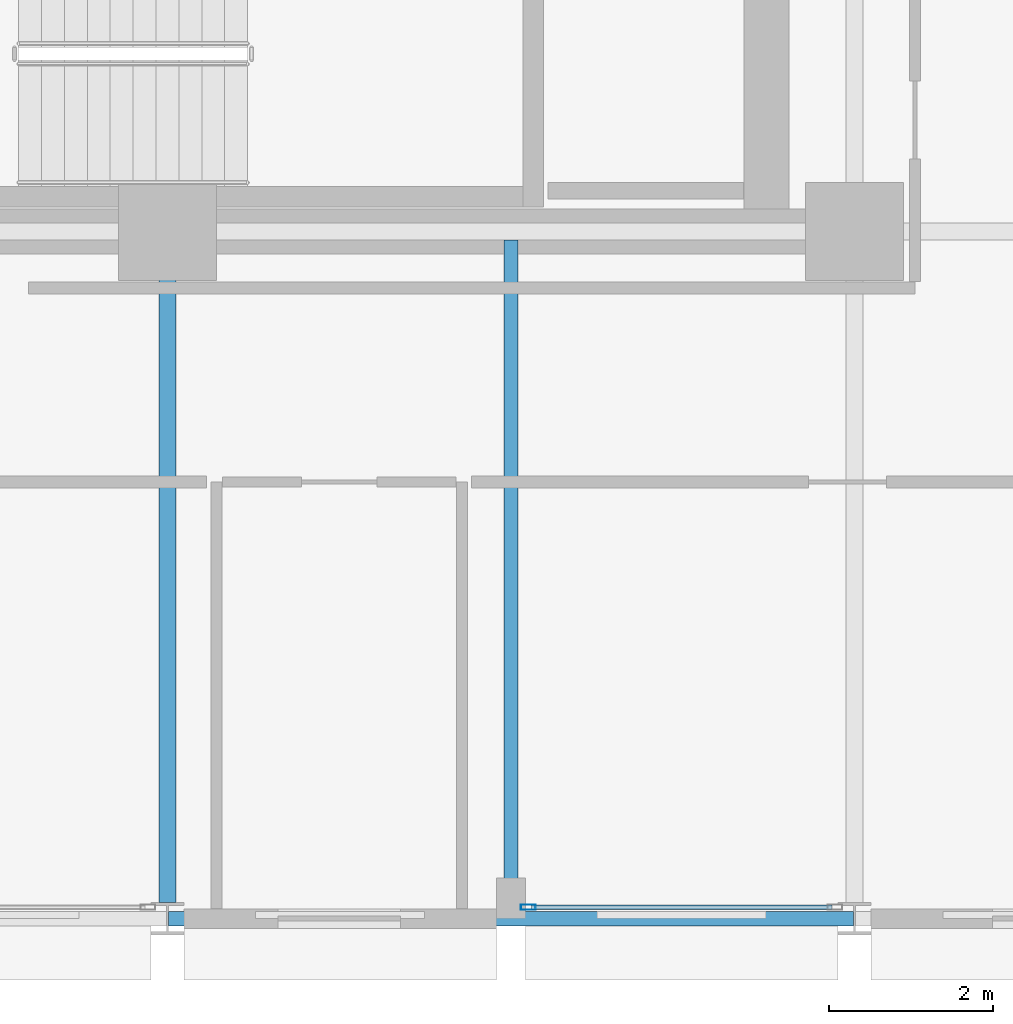
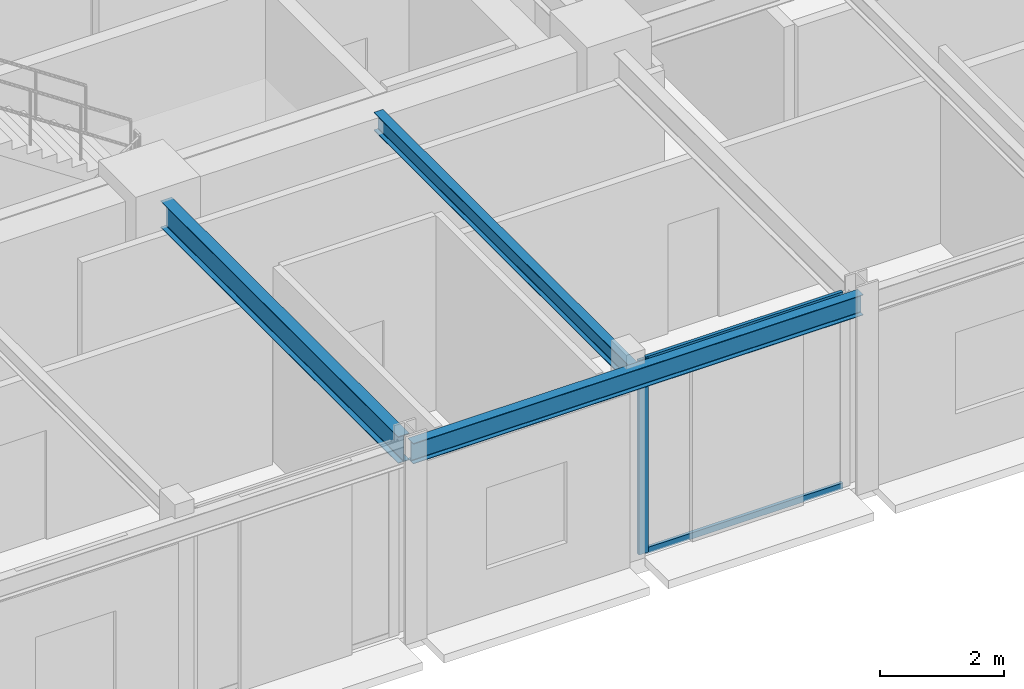
# One storey, part 9 of 39: 3 beams, 3 members, 1 element without a shape of its own.
"""IFC4 building model written with IfcOpenShell, lengths in metres."""

from ifc_helpers import new_model, si_unit, direction, frame, origin, origin_2d, place, context, subcontext, project, spatial, hollow_rectangle, i_section, extrude, material, layer, layer_set, material_profile, profile_set, type_object, element, aggregate, save


model = new_model("IFC4")

# Units and contexts
model_context = context("Model", 3, precision=1e-05, world=origin(), true_north=direction((0.0, 1.0)))
body_context = subcontext(model_context, "Body", "Model", "MODEL_VIEW")
ifc_project = project(units=[si_unit("LENGTHUNIT", "METRE"), si_unit("AREAUNIT", "SQUARE_METRE"), si_unit("VOLUMEUNIT", "CUBIC_METRE"), si_unit("PLANEANGLEUNIT", "RADIAN"), si_unit("MASSUNIT", "GRAM", prefix="KILO")], contexts=[model_context])

# Site, building, storey
site_placement = place(None, origin())
site = spatial("IfcSite", under=ifc_project, at=site_placement, CompositionType="ELEMENT")
building_placement = place(site_placement, origin())
building = spatial("IfcBuilding", under=site, at=building_placement, Name="Nerrivon Quay Data Exchange", CompositionType="ELEMENT")
storey_placement = place(building_placement, frame((0.0, 0.0, 92.60009765625)))
storey = spatial("IfcBuildingStorey", under=building, at=storey_placement, Name="L21", CompositionType="ELEMENT", Elevation=92.60009765625)

# Beams
ifc_material_1 = material(Name="Steel Grade 350", Category="steel")
ifc_material_profile_1 = material_profile(ifc_material_1, i_section(OverallWidth=0.208984375, OverallDepth=0.528076171875, WebThickness=0.009521484375, FlangeThickness=0.01318359375, FilletRadius=0.013916015625, at=origin_2d()), Name="530UB82.0")
ifc_profile_set_1 = profile_set([ifc_material_profile_1], Name="Steel Grade 350")
beam_type_1 = type_object("IfcBeamType", Name="BM-G4-530UB82", PredefinedType="BEAM", material=ifc_profile_set_1)
beam_1_placement = place(storey_placement, frame((25.199951171875, 0.199951171875, 3.560791015625), z_axis=(0.0, 1.0, 0.0), x_axis=(-1.0, 0.0, 0.0)))
element("IfcBeam", 1, at=beam_1_placement, inside=storey, type_object=beam_type_1, Name="L21 NS Girder X=25.2 (0.0..8.4)", PredefinedType="BEAM", context=body_context, shape_type="SweptSolid", body=[
    extrude(i_section(OverallWidth=0.208984375, OverallDepth=0.528076171875, WebThickness=0.009521484375, FlangeThickness=0.01318359375, FilletRadius=0.013916015625, at=origin_2d()), origin(), (0.0, 0.0, 1.0), 7.66015625),
])
ifc_material_profile_2 = material_profile(ifc_material_1, i_section(OverallWidth=0.1708984375, OverallDepth=0.35595703125, WebThickness=0.00732421875, FlangeThickness=0.011474609375, FilletRadius=0.011474609375, at=origin_2d()), Name="360UB50.7")
ifc_profile_set_2 = profile_set([ifc_material_profile_2], Name="Steel Grade 350")
beam_type_2 = type_object("IfcBeamType", Name="BM-J4-360UB51", PredefinedType="JOIST", material=ifc_profile_set_2)
beam_2_placement = place(storey_placement, frame((29.39990234375, 0.089111328125, 3.64697265625), z_axis=(0.0, 1.0, 0.0), x_axis=(-1.0, 0.0, 0.0)))
element("IfcBeam", 2, at=beam_2_placement, inside=storey, type_object=beam_type_2, Name="L21 Secondary Joist X=29.4 (0.0..8.4)", PredefinedType="JOIST", context=body_context, shape_type="SweptSolid", body=[
    extrude(i_section(OverallWidth=0.1708984375, OverallDepth=0.35595703125, WebThickness=0.00732421875, FlangeThickness=0.011474609375, FilletRadius=0.011474609375, at=origin_2d()), origin(), (0.0, 0.0, 1.0), 8.206298828125),
])
ifc_material_profile_3 = material_profile(ifc_material_1, i_section(OverallWidth=0.177978515625, OverallDepth=0.403076171875, WebThickness=0.007568359375, FlangeThickness=0.010986328125, FilletRadius=0.011474609375, at=origin_2d()), Name="410UB53.7")
ifc_profile_set_3 = profile_set([ifc_material_profile_3], Name="Steel Grade 350")
beam_type_3 = type_object("IfcBeamType", Name="BM-SP2-410UB54", PredefinedType="SPANDREL", material=ifc_profile_set_3)
beam_3_placement = place(storey_placement, frame((25.21240234375, 0.0, 3.623291015625), z_axis=(1.0, 0.0, 0.0), x_axis=(0.0, 1.0, 0.0)))
element("IfcBeam", 3, at=beam_3_placement, inside=storey, type_object=beam_type_3, Name="L21 EW Girder Y=0.0 (25.2..33.6)", PredefinedType="SPANDREL", context=body_context, shape_type="SweptSolid", body=[
    extrude(i_section(OverallWidth=0.177978515625, OverallDepth=0.403076171875, WebThickness=0.007568359375, FlangeThickness=0.010986328125, FilletRadius=0.011474609375, at=origin_2d()), origin(), (0.0, 0.0, 1.0), 8.375),
])

# Curtain wall, members
ifc_material_2 = material(Name="Anodised aluminium 6063-T6", Category="aluminium")
ifc_layer = layer(ifc_material_2, 0.2099609375)
ifc_layer_set = layer_set([ifc_layer], Name="Anodised aluminium 6063-T6")
curtain_wall_type = type_object("IfcCurtainWallType", Name="CW-SYS-02", PredefinedType="NOTDEFINED", material=ifc_layer_set)
curtain_wall_placement = place(storey_placement, origin())
curtain_wall = element("IfcCurtainWall", 4, at=curtain_wall_placement, inside=storey, type_object=curtain_wall_type, Name="L21 Unitised Curtain Wall 8", PredefinedType="NOTDEFINED")
ifc_material_profile_4 = material_profile(ifc_material_2, hollow_rectangle(XDim=0.06494140625, YDim=0.179931640625, WallThickness=0.00341796875, at=origin_2d()), Name="ALU-MULL-180x65")
ifc_profile_set_4 = profile_set([ifc_material_profile_4], Name="Anodised aluminium 6063-T6")
member_type_1 = type_object("IfcMemberType", Name="CWM-180x65", PredefinedType="MULLION", material=ifc_profile_set_4)
member_1_placement = place(storey_placement, frame((29.612548828125, 0.139892578125, 0.0), z_axis=(0.0, 0.0, 1.0), x_axis=(0.0, -1.0, 0.0)))
member_1 = element("IfcMember", 5, at=member_1_placement, type_object=member_type_1, Name="CW02 mullion 2", PredefinedType="MULLION", context=body_context, shape_type="SweptSolid", body=[
    extrude(hollow_rectangle(XDim=0.06494140625, YDim=0.179931640625, WallThickness=0.00341796875, at=origin_2d()), origin(), (0.0, 0.0, 1.0), 3.824951171875),
])
ifc_material_profile_5 = material_profile(ifc_material_2, hollow_rectangle(XDim=0.06005859375, YDim=0.1201171875, WallThickness=0.003173828125, at=origin_2d()), Name="ALU-TRAN-120x60")
ifc_profile_set_5 = profile_set([ifc_material_profile_5], Name="Anodised aluminium 6063-T6")
member_type_2 = type_object("IfcMemberType", Name="CWT-120x60", PredefinedType="USERDEFINED", material=ifc_profile_set_5)
member_2_placement = place(storey_placement, frame((33.324951171875, 0.139892578125, 0.032470703125), z_axis=(-1.0, 0.0, 0.0), x_axis=(0.0, -1.0, 0.0)))
member_2 = element("IfcMember", 6, at=member_2_placement, type_object=member_type_2, Name="CW02 transom 1.1", ObjectType="TRANSOM", PredefinedType="USERDEFINED", context=body_context, shape_type="SweptSolid", body=[
    extrude(hollow_rectangle(XDim=0.06005859375, YDim=0.1201171875, WallThickness=0.003173828125, at=origin_2d()), origin(), (0.0, 0.0, 1.0), 3.675048828125),
])
member_3_placement = place(storey_placement, frame((33.324951171875, 0.139892578125, 3.79248046875), z_axis=(-1.0, 0.0, 0.0), x_axis=(0.0, -1.0, 0.0)))
member_3 = element("IfcMember", 7, at=member_3_placement, type_object=member_type_2, Name="CW02 transom 1.2", ObjectType="TRANSOM", PredefinedType="USERDEFINED", context=body_context, shape_type="SweptSolid", body=[
    extrude(hollow_rectangle(XDim=0.06005859375, YDim=0.1201171875, WallThickness=0.003173828125, at=origin_2d()), origin(), (0.0, 0.0, 1.0), 3.675048828125),
])
aggregate(curtain_wall, [member_1, member_2, member_3])

save(model, "model.ifc")
